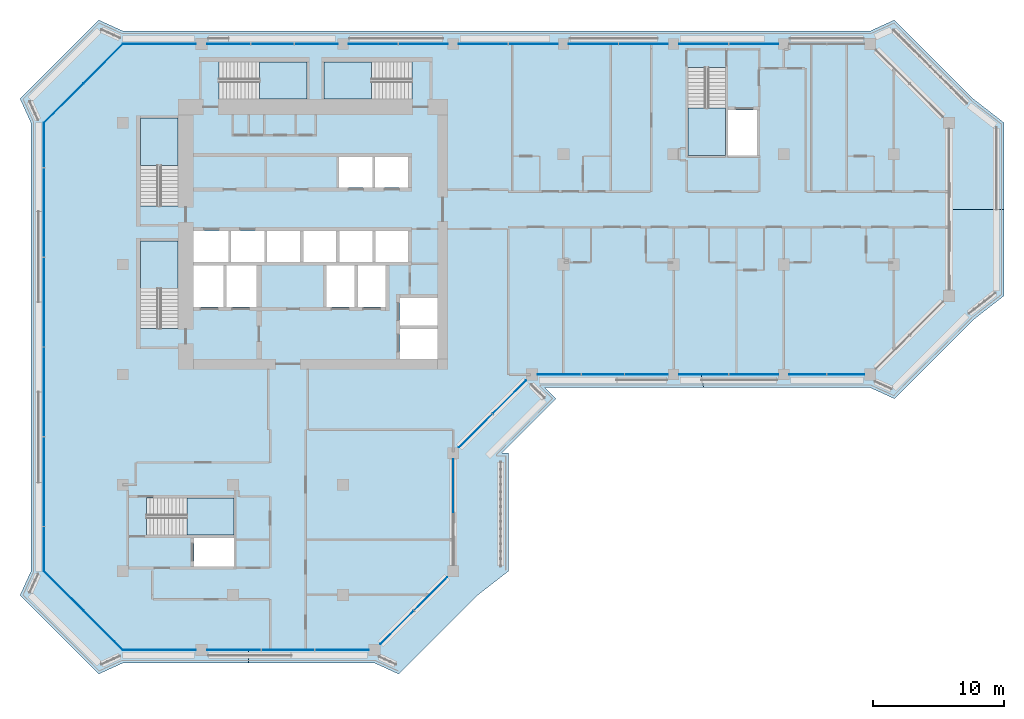
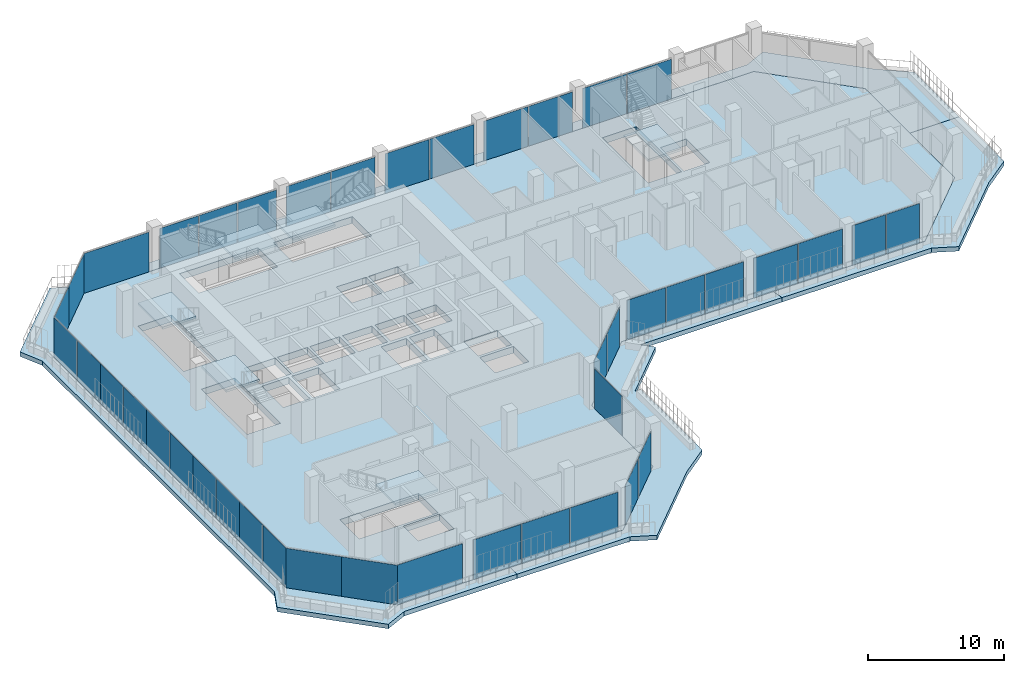
# One storey, part 8 of 23: 42 plates, 10 slabs, 15 elements without a shape of their own.
"""IFC4 building model written with IfcOpenShell, lengths in metres."""

import ifcopenshell
import ifcopenshell.guid

model = None  # the IFC model being written
_history = None  # IfcOwnerHistory: only IFC2X3 demands one
_inside = {}  # id of a spatial element -> (the spatial element, [elements in it])
_under = {}  # id of a project, library or spatial element -> (it, [spatial elements below it])
_declared = {}  # id of a project -> (the project, [libraries it declares])
_typed = {}  # id of a type object -> (the type object, [elements of that type])
_made_of = {}  # id of a material, layer set ... -> (it, [elements and type objects made of it])


def new_model(schema):
    """Start an empty IFC model of exactly this schema.

    Asked for "IFC4X3", IfcOpenShell would pick the latest addendum, in which some entities
    have other attributes; the version numbers below select the first issue.
    IFC2X3 requires an IfcOwnerHistory on every rooted entity: one is made here for all.
    """
    global model, _history
    if schema == "IFC4X3":
        model = ifcopenshell.file(schema_version=(4, 3, 0, 0))
    else:
        model = ifcopenshell.file(schema=schema)
    _inside.clear()
    _under.clear()
    _declared.clear()
    _typed.clear()
    _made_of.clear()
    _history = None
    if model.schema == "IFC2X3":
        org = make("IfcOrganization", Name="unknown")
        user = make(
            "IfcPersonAndOrganization",
            ThePerson=make("IfcPerson", FamilyName="unknown"),
            TheOrganization=org,
        )
        app = make(
            "IfcApplication",
            ApplicationDeveloper=org,
            Version="unknown",
            ApplicationFullName="unknown",
            ApplicationIdentifier="unknown",
        )
        _history = make(
            "IfcOwnerHistory",
            OwningUser=user,
            OwningApplication=app,
            ChangeAction="ADDED",
            CreationDate=0,
        )
    return model


def make(cls, **values):
    """One entity of the class cls with the attributes given. An attribute that is None is left unset."""
    return model.create_entity(
        cls, **{name: value for name, value in values.items() if value is not None}
    )


def rooted(cls, **values):
    """An entity with a GlobalId (a new one), such as an element, a storey or a relation."""
    return make(cls, GlobalId=ifcopenshell.guid.new(), OwnerHistory=_history, **values)


def si_unit(unit_type, name, prefix=None):
    """IfcSIUnit, for example si_unit("LENGTHUNIT", "METRE", prefix="MILLI")."""
    return make("IfcSIUnit", UnitType=unit_type, Prefix=prefix, Name=name)


def assignment(units):
    """IfcUnitAssignment: the units of a project."""
    return None if units is None else make("IfcUnitAssignment", Units=units)


def point(xyz):
    """IfcCartesianPoint."""
    return None if xyz is None else make("IfcCartesianPoint", Coordinates=xyz)


def direction(xyz):
    """IfcDirection."""
    return None if xyz is None else make("IfcDirection", DirectionRatios=xyz)


def frame(location, z_axis=None, x_axis=None):
    """IfcAxis2Placement3D, a coordinate frame: its origin and axes. An axis left out is left unset."""
    return make(
        "IfcAxis2Placement3D",
        Location=point(location),
        Axis=direction(z_axis),
        RefDirection=direction(x_axis),
    )


def frame_2d(location, x_axis=None):
    """IfcAxis2Placement2D, a coordinate frame in the plane: its origin and x axis."""
    return make(
        "IfcAxis2Placement2D", Location=point(location), RefDirection=direction(x_axis)
    )


def origin():
    """The frame at (0, 0, 0) with its axes left unset."""
    return frame((0.0, 0.0, 0.0))


def origin_2d():
    """The frame at (0, 0) in the plane with its x axis left unset."""
    return frame_2d((0.0, 0.0))


def place(relative_to, where):
    """IfcLocalPlacement: puts the frame where relative to a parent placement (None: the world)."""
    return make(
        "IfcLocalPlacement", PlacementRelTo=relative_to, RelativePlacement=where
    )


def context(
    kind, dimensions, precision=None, world=None, true_north=None, identifier=None
):
    """IfcGeometricRepresentationContext, for example the 3D "Model" context."""
    return make(
        "IfcGeometricRepresentationContext",
        ContextIdentifier=identifier,
        ContextType=kind,
        CoordinateSpaceDimension=dimensions,
        Precision=precision,
        WorldCoordinateSystem=world,
        TrueNorth=true_north,
    )


def subcontext(parent, identifier, kind, view, scale=None):
    """IfcGeometricRepresentationSubContext, for example "Body" below "Model"."""
    return make(
        "IfcGeometricRepresentationSubContext",
        ContextIdentifier=identifier,
        ContextType=kind,
        ParentContext=parent,
        TargetScale=scale,
        TargetView=view,
    )


def project(units=None, contexts=None):
    """IfcProject with its units and contexts."""
    return rooted(
        "IfcProject",
        Name="project",
        RepresentationContexts=contexts,
        UnitsInContext=assignment(units),
    )


def spatial(cls, under=None, at=None, **own):
    """A site, building, storey or space (cls), placed at a placement, below another one or the project."""
    s = rooted(cls, ObjectPlacement=at, **own)
    if under is not None:
        _under.setdefault(under.id(), (under, []))[1].append(s)
    return s


def polyline(points):
    """IfcPolyline through the points."""
    return make("IfcPolyline", Points=[point(p) for p in points])


def profile(cls, at=None, kind="AREA", **sizes):
    """A parametric profile (cls). Its sizes go by their IFC names, for example OverallWidth=200.0."""
    return make(cls, ProfileType=kind, Position=at, **sizes)


def rectangle(**sizes):
    """IfcRectangleProfileDef."""
    return profile("IfcRectangleProfileDef", **sizes)


def outline(outer, holes=None, kind="AREA"):
    """IfcArbitraryClosedProfileDef: a profile drawn as a closed curve; with holes, ...WithVoids."""
    if holes is None:
        return make("IfcArbitraryClosedProfileDef", ProfileType=kind, OuterCurve=outer)
    return make(
        "IfcArbitraryProfileDefWithVoids",
        ProfileType=kind,
        OuterCurve=outer,
        InnerCurves=holes,
    )


def extrude(swept, where, along, depth):
    """IfcExtrudedAreaSolid: the profile swept, set in the frame where, extruded along a direction by depth."""
    return make(
        "IfcExtrudedAreaSolid",
        SweptArea=swept,
        Position=where,
        ExtrudedDirection=direction(along),
        Depth=depth,
    )


def shape(context_of_items, identifier, shape_type, items):
    """IfcShapeRepresentation: the items that make up one representation, for example the "Body"."""
    return make(
        "IfcShapeRepresentation",
        ContextOfItems=context_of_items,
        RepresentationIdentifier=identifier,
        RepresentationType=shape_type,
        Items=items,
    )


def material(Name=None, Category=None):
    """IfcMaterial."""
    return make("IfcMaterial", Name=Name, Category=Category)


def layer(
    of_material, thickness, ventilated=None, Name=None, Category=None, Priority=None
):
    """IfcMaterialLayer: one layer of a wall or slab, of a material (None: an air gap)."""
    return make(
        "IfcMaterialLayer",
        Material=of_material,
        LayerThickness=thickness,
        IsVentilated=ventilated,
        Name=Name,
        Category=Category,
        Priority=Priority,
    )


def layer_set(layers, Name=None):
    """IfcMaterialLayerSet."""
    return make("IfcMaterialLayerSet", MaterialLayers=layers, LayerSetName=Name)


def made_of(thing, what):
    """Note that an element or type object is made of a material, layer set ...; save() writes the relation."""
    if what is not None:
        _made_of.setdefault(what.id(), (what, []))[1].append(thing)
    return thing


def type_object(cls, material=None, **own):
    """A type object (cls), such as IfcWallType, which elements share."""
    return made_of(rooted(cls, **own), material)


def element(
    cls,
    number,
    at=None,
    inside=None,
    cuts=None,
    type_object=None,
    material=None,
    context=None,
    identifier="Body",
    shape_type=None,
    held_by="IfcProductDefinitionShape",
    body=None,
    shapes=None,
    **own,
):
    """One element of the class cls, such as IfcWall. Its Tag is "e" and its number.

    at: its placement. inside: the storey or other place that contains it. cuts: it is an
    opening in that element (IfcRelVoidsElement). A single representation is given by context,
    identifier, shape_type and body (its items); several are given by shapes. held_by: the class
    of the entity that holds the representations. save() writes the other relations.
    """
    e = rooted(cls, Tag="e%d" % number, ObjectPlacement=at, **own)
    if body is not None:
        shapes = [shape(context, identifier, shape_type, body)]
    if shapes is not None:
        e.Representation = make(held_by, Representations=shapes)
    if inside is not None:
        _inside.setdefault(inside.id(), (inside, []))[1].append(e)
    if cuts is not None:
        rooted(
            "IfcRelVoidsElement", RelatingBuildingElement=cuts, RelatedOpeningElement=e
        )
    if type_object is not None:
        _typed.setdefault(type_object.id(), (type_object, []))[1].append(e)
    return made_of(e, material)


def aggregate(whole, parts):
    """IfcRelAggregates: a whole, such as a stair, and the parts it consists of."""
    return rooted("IfcRelAggregates", RelatingObject=whole, RelatedObjects=parts)


def save(model, path):
    """Write the relations noted so far, then the file.

    IfcRelAggregates (storeys below a building ...), IfcRelContainedInSpatialStructure (elements
    in a storey), IfcRelDefinesByType, IfcRelAssociatesMaterial and IfcRelDeclares: one each for
    every whole, place, type object, material and project.
    """
    for whole, parts in _under.values():
        aggregate(whole, parts)
    for where, things in _inside.values():
        rooted(
            "IfcRelContainedInSpatialStructure",
            RelatedElements=things,
            RelatingStructure=where,
        )
    for kind, things in _typed.values():
        rooted("IfcRelDefinesByType", RelatedObjects=things, RelatingType=kind)
    for what, things in _made_of.values():
        rooted("IfcRelAssociatesMaterial", RelatedObjects=things, RelatingMaterial=what)
    for by, libraries in _declared.values():
        rooted("IfcRelDeclares", RelatingContext=by, RelatedDefinitions=libraries)
    model.write(path)


model = new_model("IFC4")

# Units and contexts
model_context = context("Model", 3, precision=1e-05, world=origin(), true_north=direction((0.0, 1.0)))
body_context = subcontext(model_context, "Body", "Model", "MODEL_VIEW")
ifc_project = project(units=[si_unit("LENGTHUNIT", "METRE"), si_unit("AREAUNIT", "SQUARE_METRE"), si_unit("VOLUMEUNIT", "CUBIC_METRE"), si_unit("PLANEANGLEUNIT", "RADIAN"), si_unit("MASSUNIT", "GRAM", prefix="KILO")], contexts=[model_context])

# Site, building, storey
site_placement = place(None, origin())
site = spatial("IfcSite", under=ifc_project, at=site_placement, CompositionType="ELEMENT")
building_placement = place(site_placement, origin())
building = spatial("IfcBuilding", under=site, at=building_placement, Name="Kawkab Arch Medical Tower", CompositionType="ELEMENT")
storey_placement = place(building_placement, frame((0.0, 0.0, 268.39990234375)))
storey = spatial("IfcBuildingStorey", under=building, at=storey_placement, Name="L62", CompositionType="ELEMENT", Elevation=268.39990234375)

# Curtain wall, plates
ifc_material_1 = material(Name="Bronze anodised aluminium curtain wall frame", Category="aluminium")
ifc_layer_1 = layer(ifc_material_1, 0.159912109375)
ifc_layer_set_1 = layer_set([ifc_layer_1], Name="Bronze anodised aluminium curtain wall frame")
curtain_wall_type_1 = type_object("IfcCurtainWallType", Name="CW1 ward curtain wall", PredefinedType="NOTDEFINED", material=ifc_layer_set_1)
placement_1 = place(storey_placement, origin())
curtain_wall_1 = element("IfcCurtainWall", 1, at=placement_1, inside=storey, type_object=curtain_wall_type_1, Name="CW1 Ward curtain wall R01", PredefinedType="NOTDEFINED")
ifc_material_2 = material(Name="Tinted insulating glass, bronze low-e coating", Category="glass")
ifc_layer_2 = layer(ifc_material_2, 0.031982421875)
ifc_layer_set_2 = layer_set([ifc_layer_2], Name="Tinted insulating glass, bronze low-e coating")
plate_type_1 = type_object("IfcPlateType", Name="CW1 glazing unit 32", PredefinedType="CURTAIN_PANEL", material=ifc_layer_set_2)
plate_1_placement = place(storey_placement, frame((-6.0, -7.695068359375, 0.0), z_axis=(0.0, 0.0, 1.0), x_axis=(0.0, -1.0, 0.0)))
plate_1 = element("IfcPlate", 2, at=plate_1_placement, type_object=plate_type_1, Name="CW1 glazing unit 1.1", PredefinedType="CURTAIN_PANEL", context=body_context, shape_type="SweptSolid", body=[
    extrude(rectangle(XDim=3.389892578125, YDim=0.031982421875, at=origin_2d()), origin(), (0.0, 0.0, 1.0), 3.580078125),
])
plate_2_placement = place(storey_placement, frame((-6.0, -11.14501953125, 0.0), z_axis=(0.0, 0.0, 1.0), x_axis=(0.0, -1.0, 0.0)))
plate_2 = element("IfcPlate", 3, at=plate_2_placement, type_object=plate_type_1, Name="CW1 glazing unit 1.2", PredefinedType="CURTAIN_PANEL", context=body_context, shape_type="SweptSolid", body=[
    extrude(rectangle(XDim=3.389892578125, YDim=0.031982421875, at=origin_2d()), origin(), (0.0, 0.0, 1.0), 3.580078125),
])
plate_3_placement = place(storey_placement, frame((-6.0, -14.534912109375, 0.0), z_axis=(0.0, 0.0, 1.0), x_axis=(0.0, -1.0, 0.0)))
plate_3 = element("IfcPlate", 4, at=plate_3_placement, type_object=plate_type_1, Name="CW1 glazing unit 2.1", PredefinedType="CURTAIN_PANEL", context=body_context, shape_type="SweptSolid", body=[
    extrude(rectangle(XDim=3.389892578125, YDim=0.031982421875, at=origin_2d()), origin(), (0.0, 0.0, 1.0), 3.580078125),
])
plate_4_placement = place(storey_placement, frame((-6.0, -17.985107421875, 0.0), z_axis=(0.0, 0.0, 1.0), x_axis=(0.0, -1.0, 0.0)))
plate_4 = element("IfcPlate", 5, at=plate_4_placement, type_object=plate_type_1, Name="CW1 glazing unit 2.2", PredefinedType="CURTAIN_PANEL", context=body_context, shape_type="SweptSolid", body=[
    extrude(rectangle(XDim=3.389892578125, YDim=0.031982421875, at=origin_2d()), origin(), (0.0, 0.0, 1.0), 3.580078125),
])
plate_5_placement = place(storey_placement, frame((-6.0, -21.375, 0.0), z_axis=(0.0, 0.0, 1.0), x_axis=(0.0, -1.0, 0.0)))
plate_5 = element("IfcPlate", 6, at=plate_5_placement, type_object=plate_type_1, Name="CW1 glazing unit 3.1", PredefinedType="CURTAIN_PANEL", context=body_context, shape_type="SweptSolid", body=[
    extrude(rectangle(XDim=3.389892578125, YDim=0.031982421875, at=origin_2d()), origin(), (0.0, 0.0, 1.0), 3.580078125),
])
plate_6_placement = place(storey_placement, frame((-6.0, -24.824951171875, 0.0), z_axis=(0.0, 0.0, 1.0), x_axis=(0.0, -1.0, 0.0)))
plate_6 = element("IfcPlate", 7, at=plate_6_placement, type_object=plate_type_1, Name="CW1 glazing unit 3.2", PredefinedType="CURTAIN_PANEL", context=body_context, shape_type="SweptSolid", body=[
    extrude(rectangle(XDim=3.389892578125, YDim=0.031982421875, at=origin_2d()), origin(), (0.0, 0.0, 1.0), 3.580078125),
])
plate_7_placement = place(storey_placement, frame((-6.0, -28.215087890625, 0.0), z_axis=(0.0, 0.0, 1.0), x_axis=(0.0, -1.0, 0.0)))
plate_7 = element("IfcPlate", 8, at=plate_7_placement, type_object=plate_type_1, Name="CW1 glazing unit 4.1", PredefinedType="CURTAIN_PANEL", context=body_context, shape_type="SweptSolid", body=[
    extrude(rectangle(XDim=3.389892578125, YDim=0.031982421875, at=origin_2d()), origin(), (0.0, 0.0, 1.0), 3.580078125),
])
plate_8_placement = place(storey_placement, frame((-6.0, -31.6650390625, 0.0), z_axis=(0.0, 0.0, 1.0), x_axis=(0.0, -1.0, 0.0)))
plate_8 = element("IfcPlate", 9, at=plate_8_placement, type_object=plate_type_1, Name="CW1 glazing unit 4.2", PredefinedType="CURTAIN_PANEL", context=body_context, shape_type="SweptSolid", body=[
    extrude(rectangle(XDim=3.389892578125, YDim=0.031982421875, at=origin_2d()), origin(), (0.0, 0.0, 1.0), 3.580078125),
])
plate_9_placement = place(storey_placement, frame((-6.0, -35.054931640625, 0.0), z_axis=(0.0, 0.0, 1.0), x_axis=(0.0, -1.0, 0.0)))
plate_9 = element("IfcPlate", 10, at=plate_9_placement, type_object=plate_type_1, Name="CW1 glazing unit 5.1", PredefinedType="CURTAIN_PANEL", context=body_context, shape_type="SweptSolid", body=[
    extrude(rectangle(XDim=3.389892578125, YDim=0.031982421875, at=origin_2d()), origin(), (0.0, 0.0, 1.0), 3.580078125),
])
plate_10_placement = place(storey_placement, frame((-6.0, -38.5048828125, 0.0), z_axis=(0.0, 0.0, 1.0), x_axis=(0.0, -1.0, 0.0)))
plate_10 = element("IfcPlate", 11, at=plate_10_placement, type_object=plate_type_1, Name="CW1 glazing unit 5.2", PredefinedType="CURTAIN_PANEL", context=body_context, shape_type="SweptSolid", body=[
    extrude(rectangle(XDim=3.389892578125, YDim=0.031982421875, at=origin_2d()), origin(), (0.0, 0.0, 1.0), 3.580078125),
])
aggregate(curtain_wall_1, [plate_1, plate_2, plate_3, plate_4, plate_5, plate_6, plate_7, plate_8, plate_9, plate_10])

curtain_wall_2 = element("IfcCurtainWall", 12, at=placement_1, inside=storey, type_object=curtain_wall_type_1, Name="CW1 Ward curtain wall R03", PredefinedType="NOTDEFINED")
plate_11_placement = place(storey_placement, frame((2.77490234375, -46.199951171875, 0.0), z_axis=(0.0, 0.0, 1.0), x_axis=(1.0, 0.0, 0.0)))
plate_11 = element("IfcPlate", 13, at=plate_11_placement, type_object=plate_type_1, Name="CW1 glazing unit 1.1", PredefinedType="CURTAIN_PANEL", context=body_context, shape_type="SweptSolid", body=[
    extrude(rectangle(XDim=5.550048828125, YDim=0.031982421875, at=origin_2d()), origin(), (0.0, 0.0, 1.0), 3.580078125),
])
plate_12_placement = place(storey_placement, frame((8.485107421875, -46.199951171875, 0.0), z_axis=(0.0, 0.0, 1.0), x_axis=(1.0, 0.0, 0.0)))
plate_12 = element("IfcPlate", 14, at=plate_12_placement, type_object=plate_type_1, Name="CW1 glazing unit 2.1", PredefinedType="CURTAIN_PANEL", context=body_context, shape_type="SweptSolid", body=[
    extrude(rectangle(XDim=4.070068359375, YDim=0.031982421875, at=origin_2d()), origin(), (0.0, 0.0, 1.0), 3.580078125),
])
plate_13_placement = place(storey_placement, frame((12.60009765625, -46.199951171875, 0.0), z_axis=(0.0, 0.0, 1.0), x_axis=(1.0, 0.0, 0.0)))
plate_13 = element("IfcPlate", 15, at=plate_13_placement, type_object=plate_type_1, Name="CW1 glazing unit 2.2", PredefinedType="CURTAIN_PANEL", context=body_context, shape_type="SweptSolid", body=[
    extrude(rectangle(XDim=4.0400390625, YDim=0.031982421875, at=origin_2d()), origin(), (0.0, 0.0, 1.0), 3.580078125),
])
plate_14_placement = place(storey_placement, frame((16.715087890625, -46.199951171875, 0.0), z_axis=(0.0, 0.0, 1.0), x_axis=(1.0, 0.0, 0.0)))
plate_14 = element("IfcPlate", 16, at=plate_14_placement, type_object=plate_type_1, Name="CW1 glazing unit 2.3", PredefinedType="CURTAIN_PANEL", context=body_context, shape_type="SweptSolid", body=[
    extrude(rectangle(XDim=4.070068359375, YDim=0.031982421875, at=origin_2d()), origin(), (0.0, 0.0, 1.0), 3.580078125),
])
aggregate(curtain_wall_2, [plate_11, plate_12, plate_13, plate_14])

# Curtain wall, plate
curtain_wall_3 = element("IfcCurtainWall", 17, at=placement_1, inside=storey, type_object=curtain_wall_type_1, Name="CW1 Ward curtain wall R05", PredefinedType="NOTDEFINED")
plate_15_placement = place(storey_placement, frame((25.199951171875, -33.675048828125, 0.0), z_axis=(0.0, 0.0, 1.0), x_axis=(0.0, 1.0, 0.0)))
plate_15 = element("IfcPlate", 18, at=plate_15_placement, type_object=plate_type_1, Name="CW1 glazing unit 1.2", PredefinedType="CURTAIN_PANEL", context=body_context, shape_type="SweptSolid", body=[
    extrude(rectangle(XDim=4.050048828125, YDim=0.031982421875, at=origin_2d()), origin(), (0.0, 0.0, 1.0), 3.580078125),
])
aggregate(curtain_wall_3, [plate_15])

# Curtain wall, plates
curtain_wall_4 = element("IfcCurtainWall", 19, at=placement_1, inside=storey, type_object=curtain_wall_type_1, Name="CW1 Ward curtain wall R07", PredefinedType="NOTDEFINED")
plate_16_placement = place(storey_placement, frame((33.2890625, -25.199951171875, 0.0), z_axis=(0.0, 0.0, 1.0), x_axis=(1.0, 0.0, 0.0)))
plate_16 = element("IfcPlate", 20, at=plate_16_placement, type_object=plate_type_1, Name="CW1 glazing unit 1.1", PredefinedType="CURTAIN_PANEL", context=body_context, shape_type="SweptSolid", body=[
    extrude(rectangle(XDim=3.2783203125, YDim=0.031982421875, at=origin_2d()), origin(), (0.0, 0.0, 1.0), 3.580078125),
])
plate_17_placement = place(storey_placement, frame((36.612548828125, -25.199951171875, 0.0), z_axis=(0.0, 0.0, 1.0), x_axis=(1.0, 0.0, 0.0)))
plate_17 = element("IfcPlate", 21, at=plate_17_placement, type_object=plate_type_1, Name="CW1 glazing unit 1.2", PredefinedType="CURTAIN_PANEL", context=body_context, shape_type="SweptSolid", body=[
    extrude(rectangle(XDim=3.248291015625, YDim=0.031982421875, at=origin_2d()), origin(), (0.0, 0.0, 1.0), 3.580078125),
])
plate_18_placement = place(storey_placement, frame((39.935791015625, -25.199951171875, 0.0), z_axis=(0.0, 0.0, 1.0), x_axis=(1.0, 0.0, 0.0)))
plate_18 = element("IfcPlate", 22, at=plate_18_placement, type_object=plate_type_1, Name="CW1 glazing unit 1.3", PredefinedType="CURTAIN_PANEL", context=body_context, shape_type="SweptSolid", body=[
    extrude(rectangle(XDim=3.2783203125, YDim=0.031982421875, at=origin_2d()), origin(), (0.0, 0.0, 1.0), 3.580078125),
])
plate_19_placement = place(storey_placement, frame((44.297607421875, -25.199951171875, 0.0), z_axis=(0.0, 0.0, 1.0), x_axis=(1.0, 0.0, 0.0)))
plate_19 = element("IfcPlate", 23, at=plate_19_placement, type_object=plate_type_1, Name="CW1 glazing unit 2.1", PredefinedType="CURTAIN_PANEL", context=body_context, shape_type="SweptSolid", body=[
    extrude(rectangle(XDim=3.7451171875, YDim=0.031982421875, at=origin_2d()), origin(), (0.0, 0.0, 1.0), 3.580078125),
])
plate_20_placement = place(storey_placement, frame((48.1025390625, -25.199951171875, 0.0), z_axis=(0.0, 0.0, 1.0), x_axis=(1.0, 0.0, 0.0)))
plate_20 = element("IfcPlate", 24, at=plate_20_placement, type_object=plate_type_1, Name="CW1 glazing unit 2.2", PredefinedType="CURTAIN_PANEL", context=body_context, shape_type="SweptSolid", body=[
    extrude(rectangle(XDim=3.7451171875, YDim=0.031982421875, at=origin_2d()), origin(), (0.0, 0.0, 1.0), 3.580078125),
])
plate_21_placement = place(storey_placement, frame((52.2412109375, -25.199951171875, 0.0), z_axis=(0.0, 0.0, 1.0), x_axis=(1.0, 0.0, 0.0)))
plate_21 = element("IfcPlate", 25, at=plate_21_placement, type_object=plate_type_1, Name="CW1 glazing unit 3.1", PredefinedType="CURTAIN_PANEL", context=body_context, shape_type="SweptSolid", body=[
    extrude(rectangle(XDim=2.83251953125, YDim=0.031982421875, at=origin_2d()), origin(), (0.0, 0.0, 1.0), 3.580078125),
])
plate_22_placement = place(storey_placement, frame((55.1337890625, -25.199951171875, 0.0), z_axis=(0.0, 0.0, 1.0), x_axis=(1.0, 0.0, 0.0)))
plate_22 = element("IfcPlate", 26, at=plate_22_placement, type_object=plate_type_1, Name="CW1 glazing unit 3.2", PredefinedType="CURTAIN_PANEL", context=body_context, shape_type="SweptSolid", body=[
    extrude(rectangle(XDim=2.83251953125, YDim=0.031982421875, at=origin_2d()), origin(), (0.0, 0.0, 1.0), 3.580078125),
])
aggregate(curtain_wall_4, [plate_16, plate_17, plate_18, plate_19, plate_20, plate_21, plate_22])

curtain_wall_5 = element("IfcCurtainWall", 27, at=placement_1, inside=storey, type_object=curtain_wall_type_1, Name="CW1 Ward curtain wall R11", PredefinedType="NOTDEFINED")
plate_23_placement = place(storey_placement, frame((48.1025390625, 0.0, 0.0), z_axis=(0.0, 0.0, 1.0), x_axis=(-1.0, 0.0, 0.0)))
plate_23 = element("IfcPlate", 28, at=plate_23_placement, type_object=plate_type_1, Name="CW1 glazing unit 2.1", PredefinedType="CURTAIN_PANEL", context=body_context, shape_type="SweptSolid", body=[
    extrude(rectangle(XDim=3.7451171875, YDim=0.031982421875, at=origin_2d()), origin(), (0.0, 0.0, 1.0), 3.580078125),
])
plate_24_placement = place(storey_placement, frame((44.297607421875, 0.0, 0.0), z_axis=(0.0, 0.0, 1.0), x_axis=(-1.0, 0.0, 0.0)))
plate_24 = element("IfcPlate", 29, at=plate_24_placement, type_object=plate_type_1, Name="CW1 glazing unit 2.2", PredefinedType="CURTAIN_PANEL", context=body_context, shape_type="SweptSolid", body=[
    extrude(rectangle(XDim=3.7451171875, YDim=0.031982421875, at=origin_2d()), origin(), (0.0, 0.0, 1.0), 3.580078125),
])
plate_25_placement = place(storey_placement, frame((39.702392578125, 0.0, 0.0), z_axis=(0.0, 0.0, 1.0), x_axis=(-1.0, 0.0, 0.0)))
plate_25 = element("IfcPlate", 30, at=plate_25_placement, type_object=plate_type_1, Name="CW1 glazing unit 3.1", PredefinedType="CURTAIN_PANEL", context=body_context, shape_type="SweptSolid", body=[
    extrude(rectangle(XDim=3.7451171875, YDim=0.031982421875, at=origin_2d()), origin(), (0.0, 0.0, 1.0), 3.580078125),
])
plate_26_placement = place(storey_placement, frame((35.8974609375, 0.0, 0.0), z_axis=(0.0, 0.0, 1.0), x_axis=(-1.0, 0.0, 0.0)))
plate_26 = element("IfcPlate", 31, at=plate_26_placement, type_object=plate_type_1, Name="CW1 glazing unit 3.2", PredefinedType="CURTAIN_PANEL", context=body_context, shape_type="SweptSolid", body=[
    extrude(rectangle(XDim=3.7451171875, YDim=0.031982421875, at=origin_2d()), origin(), (0.0, 0.0, 1.0), 3.580078125),
])
plate_27_placement = place(storey_placement, frame((31.302490234375, 0.0, 0.0), z_axis=(0.0, 0.0, 1.0), x_axis=(-1.0, 0.0, 0.0)))
plate_27 = element("IfcPlate", 32, at=plate_27_placement, type_object=plate_type_1, Name="CW1 glazing unit 4.1", PredefinedType="CURTAIN_PANEL", context=body_context, shape_type="SweptSolid", body=[
    extrude(rectangle(XDim=3.7451171875, YDim=0.031982421875, at=origin_2d()), origin(), (0.0, 0.0, 1.0), 3.580078125),
])
plate_28_placement = place(storey_placement, frame((27.49755859375, 0.0, 0.0), z_axis=(0.0, 0.0, 1.0), x_axis=(-1.0, 0.0, 0.0)))
plate_28 = element("IfcPlate", 33, at=plate_28_placement, type_object=plate_type_1, Name="CW1 glazing unit 4.2", PredefinedType="CURTAIN_PANEL", context=body_context, shape_type="SweptSolid", body=[
    extrude(rectangle(XDim=3.7451171875, YDim=0.031982421875, at=origin_2d()), origin(), (0.0, 0.0, 1.0), 3.580078125),
])
plate_29_placement = place(storey_placement, frame((22.902587890625, 0.0, 0.0), z_axis=(0.0, 0.0, 1.0), x_axis=(-1.0, 0.0, 0.0)))
plate_29 = element("IfcPlate", 34, at=plate_29_placement, type_object=plate_type_1, Name="CW1 glazing unit 5.1", PredefinedType="CURTAIN_PANEL", context=body_context, shape_type="SweptSolid", body=[
    extrude(rectangle(XDim=3.7451171875, YDim=0.031982421875, at=origin_2d()), origin(), (0.0, 0.0, 1.0), 3.580078125),
])
plate_30_placement = place(storey_placement, frame((19.097412109375, 0.0, 0.0), z_axis=(0.0, 0.0, 1.0), x_axis=(-1.0, 0.0, 0.0)))
plate_30 = element("IfcPlate", 35, at=plate_30_placement, type_object=plate_type_1, Name="CW1 glazing unit 5.2", PredefinedType="CURTAIN_PANEL", context=body_context, shape_type="SweptSolid", body=[
    extrude(rectangle(XDim=3.7451171875, YDim=0.031982421875, at=origin_2d()), origin(), (0.0, 0.0, 1.0), 3.580078125),
])
plate_31_placement = place(storey_placement, frame((14.73583984375, 0.0, 0.0), z_axis=(0.0, 0.0, 1.0), x_axis=(-1.0, 0.0, 0.0)))
plate_31 = element("IfcPlate", 36, at=plate_31_placement, type_object=plate_type_1, Name="CW1 glazing unit 6.1", PredefinedType="CURTAIN_PANEL", context=body_context, shape_type="SweptSolid", body=[
    extrude(rectangle(XDim=3.2783203125, YDim=0.031982421875, at=origin_2d()), origin(), (0.0, 0.0, 1.0), 3.580078125),
])
plate_32_placement = place(storey_placement, frame((11.41259765625, 0.0, 0.0), z_axis=(0.0, 0.0, 1.0), x_axis=(-1.0, 0.0, 0.0)))
plate_32 = element("IfcPlate", 37, at=plate_32_placement, type_object=plate_type_1, Name="CW1 glazing unit 6.2", PredefinedType="CURTAIN_PANEL", context=body_context, shape_type="SweptSolid", body=[
    extrude(rectangle(XDim=3.248291015625, YDim=0.031982421875, at=origin_2d()), origin(), (0.0, 0.0, 1.0), 3.580078125),
])
plate_33_placement = place(storey_placement, frame((8.089111328125, 0.0, 0.0), z_axis=(0.0, 0.0, 1.0), x_axis=(-1.0, 0.0, 0.0)))
plate_33 = element("IfcPlate", 38, at=plate_33_placement, type_object=plate_type_1, Name="CW1 glazing unit 6.3", PredefinedType="CURTAIN_PANEL", context=body_context, shape_type="SweptSolid", body=[
    extrude(rectangle(XDim=3.2783203125, YDim=0.031982421875, at=origin_2d()), origin(), (0.0, 0.0, 1.0), 3.580078125),
])
plate_34_placement = place(storey_placement, frame((2.77490234375, 0.0, 0.0), z_axis=(0.0, 0.0, 1.0), x_axis=(-1.0, 0.0, 0.0)))
plate_34 = element("IfcPlate", 39, at=plate_34_placement, type_object=plate_type_1, Name="CW1 glazing unit 7.1", PredefinedType="CURTAIN_PANEL", context=body_context, shape_type="SweptSolid", body=[
    extrude(rectangle(XDim=5.550048828125, YDim=0.031982421875, at=origin_2d()), origin(), (0.0, 0.0, 1.0), 3.580078125),
])
aggregate(curtain_wall_5, [plate_23, plate_24, plate_25, plate_26, plate_27, plate_28, plate_29, plate_30, plate_31, plate_32, plate_33, plate_34])

ifc_material_3 = material(Name="Bronze anodised aluminium curtain wall frame", Category="aluminium")
ifc_layer_3 = layer(ifc_material_3, 0.159912109375)
ifc_layer_set_3 = layer_set([ifc_layer_3], Name="Bronze anodised aluminium curtain wall frame")
curtain_wall_type_2 = type_object("IfcCurtainWallType", Name="CW2 chamfer curtain wall", PredefinedType="NOTDEFINED", material=ifc_layer_set_3)
curtain_wall_6 = element("IfcCurtainWall", 40, at=placement_1, inside=storey, type_object=curtain_wall_type_2, Name="CW2 Chamfer curtain wall R02", PredefinedType="NOTDEFINED")
ifc_material_4 = material(Name="Tinted insulating glass, bronze low-e coating", Category="glass")
ifc_layer_4 = layer(ifc_material_4, 0.031982421875)
ifc_layer_set_4 = layer_set([ifc_layer_4], Name="Tinted insulating glass, bronze low-e coating")
plate_type_2 = type_object("IfcPlateType", Name="CW2 glazing unit 32", PredefinedType="CURTAIN_PANEL", material=ifc_layer_set_4)
plate_35_placement = place(storey_placement, frame((-4.5, -41.699951171875, 0.0), z_axis=(0.0, 0.0, 1.0), x_axis=(0.707106781187, -0.707106781187, 0.0)))
plate_35 = element("IfcPlate", 41, at=plate_35_placement, type_object=plate_type_2, Name="CW2 glazing unit 1.1", PredefinedType="CURTAIN_PANEL", context=body_context, shape_type="SweptSolid", body=[
    extrude(rectangle(XDim=4.24267578125, YDim=0.031982421875, at=origin_2d()), origin(), (0.0, 0.0, 1.0), 3.56005859375),
])
plate_36_placement = place(storey_placement, frame((-1.5, -44.699951171875, 0.0), z_axis=(0.0, 0.0, 1.0), x_axis=(0.707106781187, -0.707106781187, 0.0)))
plate_36 = element("IfcPlate", 42, at=plate_36_placement, type_object=plate_type_2, Name="CW2 glazing unit 2.1", PredefinedType="CURTAIN_PANEL", context=body_context, shape_type="SweptSolid", body=[
    extrude(rectangle(XDim=4.24267578125, YDim=0.031982421875, at=origin_2d()), origin(), (0.0, 0.0, 1.0), 3.56005859375),
])
aggregate(curtain_wall_6, [plate_35, plate_36])

curtain_wall_7 = element("IfcCurtainWall", 43, at=placement_1, inside=storey, type_object=curtain_wall_type_2, Name="CW2 Chamfer curtain wall R04", PredefinedType="NOTDEFINED")
plate_37_placement = place(storey_placement, frame((20.914306640625, -44.485595703125, 0.0), z_axis=(0.0, 0.0, 1.0), x_axis=(0.707106781187, 0.707106781187, 0.0)))
plate_37 = element("IfcPlate", 44, at=plate_37_placement, type_object=plate_type_2, Name="CW2 glazing unit 1.1", PredefinedType="CURTAIN_PANEL", context=body_context, shape_type="SweptSolid", body=[
    extrude(rectangle(XDim=3.576171875, YDim=0.031982421875, at=origin_2d()), origin(), (0.0, 0.0, 1.0), 3.56005859375),
])
plate_38_placement = place(storey_placement, frame((23.485595703125, -41.914306640625, 0.0), z_axis=(0.0, 0.0, 1.0), x_axis=(0.707106781187, 0.707106781187, 0.0)))
plate_38 = element("IfcPlate", 45, at=plate_38_placement, type_object=plate_type_2, Name="CW2 glazing unit 1.2", PredefinedType="CURTAIN_PANEL", context=body_context, shape_type="SweptSolid", body=[
    extrude(rectangle(XDim=3.576171875, YDim=0.031982421875, at=origin_2d()), origin(), (0.0, 0.0, 1.0), 3.56005859375),
])
aggregate(curtain_wall_7, [plate_37, plate_38])

curtain_wall_8 = element("IfcCurtainWall", 46, at=placement_1, inside=storey, type_object=curtain_wall_type_2, Name="CW2 Chamfer curtain wall R06", PredefinedType="NOTDEFINED")
plate_39_placement = place(storey_placement, frame((26.914306640625, -29.485595703125, 0.0), z_axis=(0.0, 0.0, 1.0), x_axis=(0.707106781187, 0.707106781187, 0.0)))
plate_39 = element("IfcPlate", 47, at=plate_39_placement, type_object=plate_type_2, Name="CW2 glazing unit 1.1", PredefinedType="CURTAIN_PANEL", context=body_context, shape_type="SweptSolid", body=[
    extrude(rectangle(XDim=3.576171875, YDim=0.031982421875, at=origin_2d()), origin(), (0.0, 0.0, 1.0), 3.56005859375),
])
plate_40_placement = place(storey_placement, frame((29.485595703125, -26.914306640625, 0.0), z_axis=(0.0, 0.0, 1.0), x_axis=(0.707106781187, 0.707106781187, 0.0)))
plate_40 = element("IfcPlate", 48, at=plate_40_placement, type_object=plate_type_2, Name="CW2 glazing unit 1.2", PredefinedType="CURTAIN_PANEL", context=body_context, shape_type="SweptSolid", body=[
    extrude(rectangle(XDim=3.576171875, YDim=0.031982421875, at=origin_2d()), origin(), (0.0, 0.0, 1.0), 3.56005859375),
])
aggregate(curtain_wall_8, [plate_39, plate_40])

curtain_wall_9 = element("IfcCurtainWall", 49, at=placement_1, inside=storey, type_object=curtain_wall_type_2, Name="CW2 Chamfer curtain wall R12", PredefinedType="NOTDEFINED")
plate_41_placement = place(storey_placement, frame((-1.5, -1.5, 0.0), z_axis=(0.0, 0.0, 1.0), x_axis=(-0.707106781187, -0.707106781187, 0.0)))
plate_41 = element("IfcPlate", 50, at=plate_41_placement, type_object=plate_type_2, Name="CW2 glazing unit 1.1", PredefinedType="CURTAIN_PANEL", context=body_context, shape_type="SweptSolid", body=[
    extrude(rectangle(XDim=4.24267578125, YDim=0.031982421875, at=origin_2d()), origin(), (0.0, 0.0, 1.0), 3.56005859375),
])
plate_42_placement = place(storey_placement, frame((-4.5, -4.5, 0.0), z_axis=(0.0, 0.0, 1.0), x_axis=(-0.707106781187, -0.707106781187, 0.0)))
plate_42 = element("IfcPlate", 51, at=plate_42_placement, type_object=plate_type_2, Name="CW2 glazing unit 2.1", PredefinedType="CURTAIN_PANEL", context=body_context, shape_type="SweptSolid", body=[
    extrude(rectangle(XDim=4.24267578125, YDim=0.031982421875, at=origin_2d()), origin(), (0.0, 0.0, 1.0), 3.56005859375),
])
aggregate(curtain_wall_9, [plate_41, plate_42])

# Stair, slab
ifc_material_5 = material(Name="Concrete C40/50", Category="concrete")
stair_type = type_object("IfcStairType", Name="Exit stair 1350", PredefinedType="HALF_TURN_STAIR", material=ifc_material_5)
stair_1 = element("IfcStair", 52, at=placement_1, inside=storey, type_object=stair_type, Name="L62 Exit stair ST1", PredefinedType="HALF_TURN_STAIR")
ifc_material_6 = material(Name="Concrete C40/50", Category="concrete")
ifc_layer_5 = layer(ifc_material_6, 0.199951171875)
ifc_layer_set_5 = layer_set([ifc_layer_5], Name="Concrete C40/50")
slab_type_1 = type_object("IfcSlabType", Name="Exit stair landing 200", PredefinedType="LANDING", material=ifc_layer_set_5)
placement_2 = place(storey_placement, frame((0.0, 0.0, 1.900146484375)))
slab_1 = element("IfcSlab", 53, at=placement_2, type_object=slab_type_1, Name="ST1 landing 1", PredefinedType="LANDING", context=body_context, shape_type="SweptSolid", body=[
    extrude(outline(polyline([(4.199951171875, -9.27001953125), (4.199951171875, -5.64990234375), (1.35009765625, -5.64990234375), (1.35009765625, -9.27001953125), (4.199951171875, -9.27001953125)])), origin(), (0.0, 0.0, 1.0), 0.199951171875),
])
aggregate(stair_1, [slab_1])

stair_2 = element("IfcStair", 54, at=placement_1, inside=storey, type_object=stair_type, Name="L62 Exit stair ST2", PredefinedType="HALF_TURN_STAIR")
slab_2 = element("IfcSlab", 55, at=placement_2, type_object=slab_type_1, Name="ST2 landing 1", PredefinedType="LANDING", context=body_context, shape_type="SweptSolid", body=[
    extrude(outline(polyline([(4.199951171875, -18.6201171875), (4.199951171875, -15.0), (1.35009765625, -15.0), (1.35009765625, -18.6201171875), (4.199951171875, -18.6201171875)])), origin(), (0.0, 0.0, 1.0), 0.199951171875),
])
aggregate(stair_2, [slab_2])

stair_3 = element("IfcStair", 56, at=placement_1, inside=storey, type_object=stair_type, Name="L62 Exit stair ST3", PredefinedType="HALF_TURN_STAIR")
slab_3 = element("IfcSlab", 57, at=placement_2, type_object=slab_type_1, Name="ST3 landing 1", PredefinedType="LANDING", context=body_context, shape_type="SweptSolid", body=[
    extrude(outline(polyline([(10.429931640625, -4.199951171875), (14.050048828125, -4.199951171875), (14.050048828125, -1.35009765625), (10.429931640625, -1.35009765625), (10.429931640625, -4.199951171875)])), origin(), (0.0, 0.0, 1.0), 0.199951171875),
])
aggregate(stair_3, [slab_3])

stair_4 = element("IfcStair", 58, at=placement_1, inside=storey, type_object=stair_type, Name="L62 Exit stair ST4", PredefinedType="HALF_TURN_STAIR")
slab_4 = element("IfcSlab", 59, at=placement_2, type_object=slab_type_1, Name="ST4 landing 1", PredefinedType="LANDING", context=body_context, shape_type="SweptSolid", body=[
    extrude(outline(polyline([(18.969970703125, -1.35009765625), (15.35009765625, -1.35009765625), (15.35009765625, -4.199951171875), (18.969970703125, -4.199951171875), (18.969970703125, -1.35009765625)])), origin(), (0.0, 0.0, 1.0), 0.199951171875),
])
aggregate(stair_4, [slab_4])

stair_5 = element("IfcStair", 60, at=placement_1, inside=storey, type_object=stair_type, Name="L62 Exit stair ST5", PredefinedType="HALF_TURN_STAIR")
slab_5 = element("IfcSlab", 61, at=placement_2, type_object=slab_type_1, Name="ST5 landing 1", PredefinedType="LANDING", context=body_context, shape_type="SweptSolid", body=[
    extrude(outline(polyline([(43.10009765625, -4.8798828125), (43.10009765625, -8.5), (45.949951171875, -8.5), (45.949951171875, -4.8798828125), (43.10009765625, -4.8798828125)])), origin(), (0.0, 0.0, 1.0), 0.199951171875),
])
aggregate(stair_5, [slab_5])

stair_6 = element("IfcStair", 62, at=placement_1, inside=storey, type_object=stair_type, Name="L62 Exit stair ST6", PredefinedType="HALF_TURN_STAIR")
slab_6 = element("IfcSlab", 63, at=placement_2, type_object=slab_type_1, Name="ST6 landing 1", PredefinedType="LANDING", context=body_context, shape_type="SweptSolid", body=[
    extrude(outline(polyline([(4.8798828125, -37.449951171875), (8.5, -37.449951171875), (8.5, -34.60009765625), (4.8798828125, -34.60009765625), (4.8798828125, -37.449951171875)])), origin(), (0.0, 0.0, 1.0), 0.199951171875),
])
aggregate(stair_6, [slab_6])

# Slabs
ifc_material_7 = material(Name="Concrete C45/55", Category="concrete")
ifc_layer_6 = layer(ifc_material_7, 0.60009765625)
ifc_layer_set_6 = layer_set([ifc_layer_6], Name="Concrete C45/55")
slab_type_2 = type_object("IfcSlabType", Name="Flat plate 600 C45/55", PredefinedType="FLOOR", material=ifc_layer_set_6)
slab_7_placement = place(storey_placement, frame((0.0, 0.0, -0.599853515625)))
element("IfcSlab", 64, at=slab_7_placement, inside=storey, type_object=slab_type_2, Name="Floor slab L62", PredefinedType="FLOOR", context=body_context, shape_type="SweptSolid", body=[
    extrude(outline(polyline([(0.0, 0.0), (57.0, 0.0), (63.0, -6.0), (63.0, -19.199951171875), (57.0, -25.199951171875), (31.199951171875, -25.199951171875), (25.199951171875, -31.199951171875), (25.199951171875, -40.199951171875), (19.199951171875, -46.199951171875), (0.0, -46.199951171875), (-6.0, -40.199951171875), (-6.0, -6.0), (0.0, 0.0)]), holes=[polyline([(5.425048828125, -37.64990234375), (5.425048828125, -39.85009765625), (8.5, -39.85009765625), (8.5, -37.64990234375), (5.425048828125, -37.64990234375)]), polyline([(8.5, -37.449951171875), (8.5, -34.60009765625), (1.800048828125, -34.60009765625), (1.800048828125, -37.449951171875), (8.5, -37.449951171875)]), polyline([(5.39990234375, -20.050048828125), (7.675048828125, -20.050048828125), (7.675048828125, -16.89990234375), (5.39990234375, -16.89990234375), (5.39990234375, -20.050048828125)]), polyline([(10.199951171875, -20.050048828125), (10.199951171875, -16.89990234375), (7.925048828125, -16.89990234375), (7.925048828125, -20.050048828125), (10.199951171875, -20.050048828125)]), polyline([(4.199951171875, -21.699951171875), (4.199951171875, -15.0), (1.35009765625, -15.0), (1.35009765625, -21.699951171875), (4.199951171875, -21.699951171875)]), polyline([(5.39990234375, -16.60009765625), (8.050048828125, -16.60009765625), (8.050048828125, -14.25), (5.39990234375, -14.25), (5.39990234375, -16.60009765625)]), polyline([(8.25, -16.60009765625), (10.800048828125, -16.60009765625), (10.800048828125, -14.25), (8.25, -14.25), (8.25, -16.60009765625)]), polyline([(11.0, -14.25), (11.0, -16.60009765625), (13.52490234375, -16.60009765625), (13.52490234375, -14.25), (11.0, -14.25)]), polyline([(13.77490234375, -16.60009765625), (16.27490234375, -16.60009765625), (16.27490234375, -14.25), (13.77490234375, -14.25), (13.77490234375, -16.60009765625)]), polyline([(4.199951171875, -12.35009765625), (4.199951171875, -5.64990234375), (1.35009765625, -5.64990234375), (1.35009765625, -12.35009765625), (4.199951171875, -12.35009765625)]), polyline([(7.35009765625, -4.199951171875), (14.050048828125, -4.199951171875), (14.050048828125, -1.35009765625), (7.35009765625, -1.35009765625), (7.35009765625, -4.199951171875)]), polyline([(24.0, -21.72509765625), (21.14990234375, -21.72509765625), (21.14990234375, -24.0), (24.0, -24.0), (24.0, -21.72509765625)]), polyline([(24.0, -19.35009765625), (21.14990234375, -19.35009765625), (21.14990234375, -21.47509765625), (24.0, -21.47509765625), (24.0, -19.35009765625)]), polyline([(17.675048828125, -16.89990234375), (15.52490234375, -16.89990234375), (15.52490234375, -20.050048828125), (17.675048828125, -20.050048828125), (17.675048828125, -16.89990234375)]), polyline([(20.050048828125, -20.050048828125), (20.050048828125, -16.89990234375), (17.925048828125, -16.89990234375), (17.925048828125, -20.050048828125), (20.050048828125, -20.050048828125)]), polyline([(19.02490234375, -16.60009765625), (19.02490234375, -14.25), (16.52490234375, -14.25), (16.52490234375, -16.60009765625), (19.02490234375, -16.60009765625)]), polyline([(21.75, -16.60009765625), (21.75, -14.25), (19.27490234375, -14.25), (19.27490234375, -16.60009765625), (21.75, -16.60009765625)]), polyline([(19.050048828125, -8.60009765625), (16.5, -8.60009765625), (16.5, -10.949951171875), (19.050048828125, -10.949951171875), (19.050048828125, -8.60009765625)]), polyline([(21.75, -10.949951171875), (21.75, -8.60009765625), (19.25, -8.60009765625), (19.25, -10.949951171875), (21.75, -10.949951171875)]), polyline([(46.14990234375, -8.5), (48.35009765625, -8.5), (48.35009765625, -5.02490234375), (46.14990234375, -5.02490234375), (46.14990234375, -8.5)]), polyline([(43.10009765625, -1.800048828125), (43.10009765625, -8.5), (45.949951171875, -8.5), (45.949951171875, -1.800048828125), (43.10009765625, -1.800048828125)]), polyline([(22.050048828125, -1.35009765625), (15.35009765625, -1.35009765625), (15.35009765625, -4.199951171875), (22.050048828125, -4.199951171875), (22.050048828125, -1.35009765625)])]), origin(), (0.0, 0.0, 1.0), 0.599853515625),
])
ifc_material_8 = material(Name="Concrete C40/50", Category="concrete")
ifc_layer_7 = layer(ifc_material_8, 0.39990234375)
ifc_layer_set_7 = layer_set([ifc_layer_7], Name="Concrete C40/50")
slab_type_3 = type_object("IfcSlabType", Name="Loggia slab 400", PredefinedType="FLOOR", material=ifc_layer_set_7)
placement_3 = place(storey_placement, frame((0.0, 0.0, -0.39990234375)))
element("IfcSlab", 65, at=placement_3, inside=storey, type_object=slab_type_3, Name="Loggia slab L62.1", PredefinedType="FLOOR", context=body_context, shape_type="SweptSolid", body=[
    extrude(outline(polyline([(9.60009765625, -46.200927734375), (19.199951171875, -46.200927734375), (19.199951171875, -46.199951171875), (25.199951171875, -40.199951171875), (25.199951171875, -31.199951171875), (31.199951171875, -25.199951171875), (44.10009765625, -25.199951171875), (44.2880859375, -26.199951171875), (32.198974609375, -26.199951171875), (33.037109375, -27.0380859375), (28.8759765625, -31.199951171875), (29.39990234375, -31.199951171875), (29.39990234375, -40.199951171875), (27.0380859375, -42.0380859375), (21.0380859375, -48.0380859375), (19.199951171875, -47.199951171875), (9.60009765625, -47.199951171875), (9.60009765625, -46.200927734375)])), origin(), (0.0, 0.0, 1.0), 0.39990234375),
])
element("IfcSlab", 66, at=placement_3, inside=storey, type_object=slab_type_3, Name="Loggia slab L62.2", PredefinedType="FLOOR", context=body_context, shape_type="SweptSolid", body=[
    extrude(outline(polyline([(64.837890625, -21.0380859375), (58.837890625, -27.0380859375), (57.0, -26.199951171875), (44.2890625, -26.199951171875), (44.10009765625, -25.199951171875), (57.0, -25.199951171875), (63.0, -19.199951171875), (63.0009765625, -19.199951171875), (63.0009765625, -12.60009765625), (67.199951171875, -12.60009765625), (67.199951171875, -19.199951171875), (64.837890625, -21.0380859375)])), origin(), (0.0, 0.0, 1.0), 0.39990234375),
])
element("IfcSlab", 67, at=placement_3, inside=storey, type_object=slab_type_3, Name="Loggia slab L62.4", PredefinedType="FLOOR", context=body_context, shape_type="SweptSolid", body=[
    extrude(outline(polyline([(-7.837890625, -42.037109375), (-7.0, -40.199951171875), (-7.0, -6.0), (-7.837890625, -4.1630859375), (-1.8369140625, 1.837890625), (0.0, 1.0), (57.0, 1.0), (58.8369140625, 1.837890625), (64.837890625, -4.162109375), (67.198974609375, -5.9990234375), (67.198974609375, -6.0009765625), (67.199951171875, -6.0009765625), (67.199951171875, -12.59912109375), (67.198974609375, -12.59912109375), (67.198974609375, -12.60009765625), (63.001953125, -12.60009765625), (63.001953125, -12.59912109375), (63.0009765625, -12.59912109375), (63.0009765625, -6.0), (57.0, 0.0009765625), (0.0, 0.0009765625), (-6.0, -6.0), (-6.0, -40.199951171875), (0.0, -46.200927734375), (9.59912109375, -46.200927734375), (9.59912109375, -46.201904296875), (9.60009765625, -46.201904296875), (9.60009765625, -47.198974609375), (9.59912109375, -47.198974609375), (9.59912109375, -47.199951171875), (0.0, -47.199951171875), (-1.8369140625, -48.0380859375), (-7.837890625, -42.037109375)])), origin(), (0.0, 0.0, 1.0), 0.39990234375),
])

save(model, "model.ifc")
